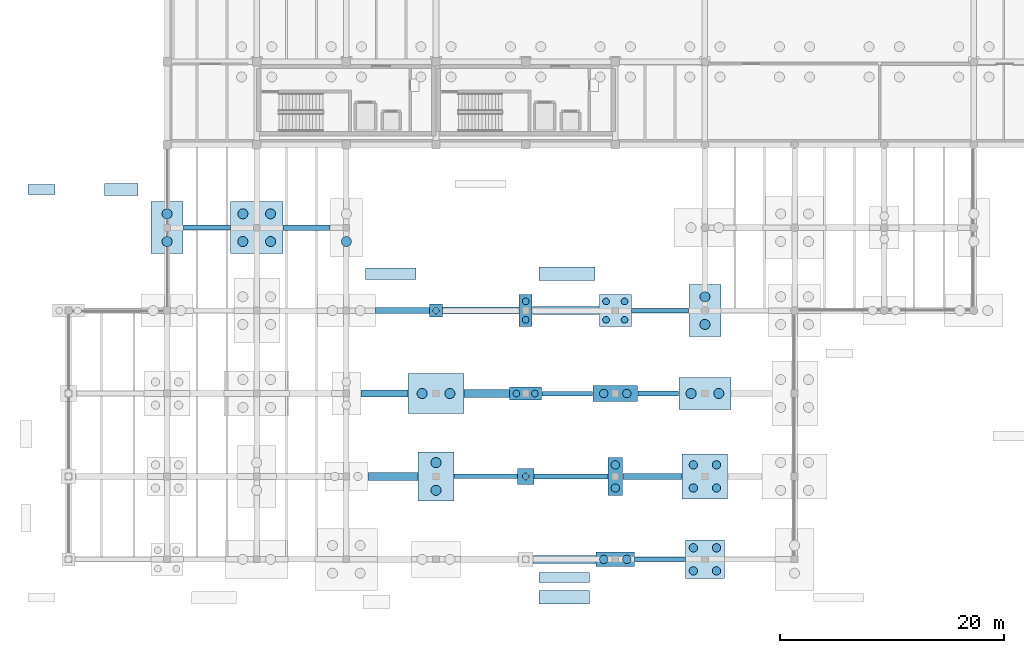
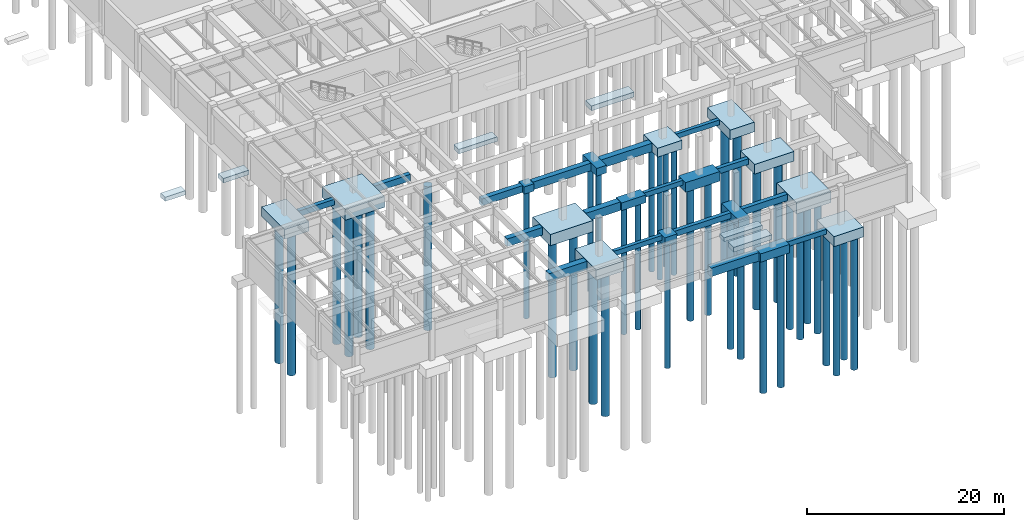
# One storey, part 2 of 40: 39 piles, 38 footings.
"""IFC4 building model written with IfcOpenShell, lengths in metres."""

from ifc_helpers import new_model, si_unit, direction, frame, origin, origin_2d, place, context, subcontext, project, spatial, polyline, rectangle, circle, outline, extrude, material, material_profile, profile_set, type_object, element, save


model = new_model("IFC4")

# Units and contexts
model_context = context("Model", 3, precision=1e-05, world=origin(), true_north=direction((0.0, 1.0)))
body_context = subcontext(model_context, "Body", "Model", "MODEL_VIEW")
ifc_project = project(units=[si_unit("LENGTHUNIT", "METRE"), si_unit("AREAUNIT", "SQUARE_METRE"), si_unit("VOLUMEUNIT", "CUBIC_METRE"), si_unit("PLANEANGLEUNIT", "RADIAN"), si_unit("MASSUNIT", "GRAM", prefix="KILO")], contexts=[model_context])

# Site, building, storey
site_placement = place(None, origin())
site = spatial("IfcSite", under=ifc_project, at=site_placement, CompositionType="ELEMENT")
building_placement = place(site_placement, origin())
building = spatial("IfcBuilding", under=site, at=building_placement, Name="Valkorina Park Police Headquarters", CompositionType="ELEMENT")
storey_placement = place(building_placement, frame((0.0, 0.0, -4.800048828125)))
storey = spatial("IfcBuildingStorey", under=building, at=storey_placement, Name="B01", CompositionType="ELEMENT", Elevation=-4.800048828125)

# Footings
ifc_material_1 = material(Name="Concrete C30/37", Category="concrete")
ifc_material_profile_1 = material_profile(ifc_material_1, rectangle(XDim=0.39990234375, YDim=0.60009765625, at=origin_2d()), Name="GB 400x600")
ifc_profile_set_1 = profile_set([ifc_material_profile_1], Name="Concrete C30/37")
footing_type_1 = type_object("IfcFootingType", Name="FT-GB-01", PredefinedType="FOOTING_BEAM", material=ifc_profile_set_1)
footing_1_placement = place(storey_placement, frame((0.0, 0.0, -0.599853515625)))
element("IfcFooting", 1, at=footing_1_placement, inside=storey, type_object=footing_type_1, Name="Pile Cap Tie Beam GB-01 #7", PredefinedType="FOOTING_BEAM", context=body_context, shape_type="SweptSolid", body=[
    extrude(outline(polyline([(55.054931640625, -0.199951171875), (55.054931640625, 0.199951171875), (50.52001953125, 0.199951171875), (50.52001953125, -0.199951171875), (55.054931640625, -0.199951171875)])), origin(), (0.0, 0.0, 1.0), 0.599853515625),
])
footing_2_placement = place(storey_placement, frame((0.0, 0.0, -0.599853515625)))
element("IfcFooting", 2, at=footing_2_placement, inside=storey, type_object=footing_type_1, Name="Pile Cap Tie Beam GB-01 #13", PredefinedType="FOOTING_BEAM", context=body_context, shape_type="SweptSolid", body=[
    extrude(outline(polyline([(40.054931640625, 7.199951171875), (40.054931640625, 7.60009765625), (34.419921875, 7.60009765625), (34.419921875, 7.199951171875), (40.054931640625, 7.199951171875)])), origin(), (0.0, 0.0, 1.0), 0.599853515625),
])
footing_3_placement = place(storey_placement, frame((0.0, 0.0, -0.599853515625)))
element("IfcFooting", 3, at=footing_3_placement, inside=storey, type_object=footing_type_1, Name="Pile Cap Tie Beam GB-01 #25", PredefinedType="FOOTING_BEAM", context=body_context, shape_type="SweptSolid", body=[
    extrude(outline(polyline([(46.780029296875, 14.60009765625), (46.780029296875, 15.0), (42.2451171875, 15.0), (42.2451171875, 14.60009765625), (46.780029296875, 14.60009765625)])), origin(), (0.0, 0.0, 1.0), 0.599853515625),
])
footing_4_placement = place(storey_placement, frame((0.0, 0.0, -0.599853515625)))
element("IfcFooting", 4, at=footing_4_placement, inside=storey, type_object=footing_type_1, Name="Pile Cap Tie Beam GB-01 #37", PredefinedType="FOOTING_BEAM", context=body_context, shape_type="SweptSolid", body=[
    extrude(outline(polyline([(55.35498046875, 22.0), (55.35498046875, 22.39990234375), (50.2451171875, 22.39990234375), (50.2451171875, 22.0), (55.35498046875, 22.0)])), origin(), (0.0, 0.0, 1.0), 0.599853515625),
])
ifc_material_profile_2 = material_profile(ifc_material_1, rectangle(XDim=0.449951171875, YDim=0.699951171875, at=origin_2d()), Name="GB 450x700")
ifc_profile_set_2 = profile_set([ifc_material_profile_2], Name="Concrete C30/37")
footing_type_2 = type_object("IfcFootingType", Name="FT-GB-02", PredefinedType="FOOTING_BEAM", material=ifc_profile_set_2)
footing_5_placement = place(storey_placement, frame((0.0, 0.0, -0.699951171875)))
element("IfcFooting", 5, at=footing_5_placement, inside=storey, type_object=footing_type_2, Name="Pile Cap Tie Beam GB-02 #14", PredefinedType="FOOTING_BEAM", context=body_context, shape_type="SweptSolid", body=[
    extrude(outline(polyline([(48.1298828125, 7.175048828125), (48.1298828125, 7.625), (41.544921875, 7.625), (41.544921875, 7.175048828125), (48.1298828125, 7.175048828125)])), origin(), (0.0, 0.0, 1.0), 0.699951171875),
])
footing_6_placement = place(storey_placement, frame((0.0, 0.0, -0.699951171875)))
element("IfcFooting", 6, at=footing_6_placement, inside=storey, type_object=footing_type_2, Name="Pile Cap Tie Beam GB-02 #26", PredefinedType="FOOTING_BEAM", context=body_context, shape_type="SweptSolid", body=[
    extrude(outline(polyline([(54.455078125, 14.574951171875), (54.455078125, 15.02490234375), (50.820068359375, 15.02490234375), (50.820068359375, 14.574951171875), (54.455078125, 14.574951171875)])), origin(), (0.0, 0.0, 1.0), 0.699951171875),
])
footing_7_placement = place(storey_placement, frame((0.0, 0.0, -0.699951171875)))
element("IfcFooting", 7, at=footing_7_placement, inside=storey, type_object=footing_type_2, Name="Pile Cap Tie Beam GB-02 #44", PredefinedType="FOOTING_BEAM", context=body_context, shape_type="SweptSolid", body=[
    extrude(outline(polyline([(14.455078125, 29.375), (14.455078125, 29.824951171875), (10.2451171875, 29.824951171875), (10.2451171875, 29.375), (14.455078125, 29.375)])), origin(), (0.0, 0.0, 1.0), 0.699951171875),
])
ifc_material_profile_3 = material_profile(ifc_material_1, rectangle(XDim=0.5, YDim=0.800048828125, at=origin_2d()), Name="GB 500x800")
ifc_profile_set_3 = profile_set([ifc_material_profile_3], Name="Concrete C30/37")
footing_type_3 = type_object("IfcFootingType", Name="FT-GB-03", PredefinedType="FOOTING_BEAM", material=ifc_profile_set_3)
footing_8_placement = place(storey_placement, frame((0.0, 0.0, -0.800048828125)))
element("IfcFooting", 8, at=footing_8_placement, inside=storey, type_object=footing_type_3, Name="Pile Cap Tie Beam GB-03 #15", PredefinedType="FOOTING_BEAM", context=body_context, shape_type="SweptSolid", body=[
    extrude(outline(polyline([(54.7548828125, 7.14990234375), (54.7548828125, 7.64990234375), (49.469970703125, 7.64990234375), (49.469970703125, 7.14990234375), (54.7548828125, 7.14990234375)])), origin(), (0.0, 0.0, 1.0), 0.800048828125),
])
footing_9_placement = place(storey_placement, frame((0.0, 0.0, -0.800048828125)))
element("IfcFooting", 9, at=footing_9_placement, inside=storey, type_object=footing_type_3, Name="Pile Cap Tie Beam GB-03 #45", PredefinedType="FOOTING_BEAM", context=body_context, shape_type="SweptSolid", body=[
    extrude(outline(polyline([(23.35498046875, 29.35009765625), (23.35498046875, 29.85009765625), (19.14501953125, 29.85009765625), (19.14501953125, 29.35009765625), (23.35498046875, 29.35009765625)])), origin(), (0.0, 0.0, 1.0), 0.800048828125),
])
ifc_material_2 = material(Name="Concrete C35/45", Category="concrete")
ifc_material_profile_4 = material_profile(ifc_material_2, rectangle(XDim=0.550048828125, YDim=0.85009765625, at=origin_2d()), Name="GB 550x850")
ifc_profile_set_4 = profile_set([ifc_material_profile_4], Name="Concrete C35/45")
footing_type_4 = type_object("IfcFootingType", Name="FT-GB-04", PredefinedType="FOOTING_BEAM", material=ifc_profile_set_4)
footing_10_placement = place(storey_placement, frame((0.0, 0.0, -0.849853515625)))
element("IfcFooting", 10, at=footing_10_placement, inside=storey, type_object=footing_type_4, Name="Pile Cap Tie Beam GB-04 #34", PredefinedType="FOOTING_BEAM", context=body_context, shape_type="SweptSolid", body=[
    extrude(outline(polyline([(32.205078125, 21.925048828125), (32.205078125, 22.47509765625), (27.419921875, 22.47509765625), (27.419921875, 21.925048828125), (32.205078125, 21.925048828125)])), origin(), (0.0, 0.0, 1.0), 0.849853515625),
])
ifc_material_profile_5 = material_profile(ifc_material_2, rectangle(XDim=0.60009765625, YDim=0.949951171875, at=origin_2d()), Name="GB 600x950")
ifc_profile_set_5 = profile_set([ifc_material_profile_5], Name="Concrete C35/45")
footing_type_5 = type_object("IfcFootingType", Name="FT-GB-05", PredefinedType="FOOTING_BEAM", material=ifc_profile_set_5)
footing_11_placement = place(storey_placement, frame((0.0, 0.0, -0.949951171875)))
element("IfcFooting", 11, at=footing_11_placement, inside=storey, type_object=footing_type_5, Name="Pile Cap Tie Beam GB-05 #23", PredefinedType="FOOTING_BEAM", context=body_context, shape_type="SweptSolid", body=[
    extrude(outline(polyline([(30.280029296875, 14.5), (30.280029296875, 15.10009765625), (26.1201171875, 15.10009765625), (26.1201171875, 14.5), (30.280029296875, 14.5)])), origin(), (0.0, 0.0, 1.0), 0.949951171875),
])
footing_12_placement = place(storey_placement, frame((0.0, 0.0, -0.949951171875)))
element("IfcFooting", 12, at=footing_12_placement, inside=storey, type_object=footing_type_5, Name="Pile Cap Tie Beam GB-05 #35", PredefinedType="FOOTING_BEAM", context=body_context, shape_type="SweptSolid", body=[
    extrude(outline(polyline([(40.205078125, 21.89990234375), (40.205078125, 22.5), (33.39501953125, 22.5), (33.39501953125, 21.89990234375), (40.205078125, 21.89990234375)])), origin(), (0.0, 0.0, 1.0), 0.949951171875),
])
ifc_material_profile_6 = material_profile(ifc_material_2, rectangle(XDim=0.699951171875, YDim=1.050048828125, at=origin_2d()), Name="GB 700x1050")
ifc_profile_set_6 = profile_set([ifc_material_profile_6], Name="Concrete C35/45")
footing_type_6 = type_object("IfcFootingType", Name="FT-GB-06", PredefinedType="FOOTING_BEAM", material=ifc_profile_set_6)
footing_13_placement = place(storey_placement, frame((0.0, 0.0, -1.050048828125)))
element("IfcFooting", 13, at=footing_13_placement, inside=storey, type_object=footing_type_6, Name="Pile Cap Tie Beam GB-06 #6", PredefinedType="FOOTING_BEAM", context=body_context, shape_type="SweptSolid", body=[
    extrude(outline(polyline([(47.080078125, -0.35009765625), (47.080078125, 0.35009765625), (41.469970703125, 0.35009765625), (41.469970703125, -0.35009765625), (47.080078125, -0.35009765625)])), origin(), (0.0, 0.0, 1.0), 1.050048828125),
])
footing_14_placement = place(storey_placement, frame((0.0, 0.0, -1.050048828125)))
element("IfcFooting", 14, at=footing_14_placement, inside=storey, type_object=footing_type_6, Name="Pile Cap Tie Beam GB-06 #12", PredefinedType="FOOTING_BEAM", context=body_context, shape_type="SweptSolid", body=[
    extrude(outline(polyline([(31.179931640625, 7.050048828125), (31.179931640625, 7.75), (26.719970703125, 7.75), (26.719970703125, 7.050048828125), (31.179931640625, 7.050048828125)])), origin(), (0.0, 0.0, 1.0), 1.050048828125),
])
footing_15_placement = place(storey_placement, frame((0.0, 0.0, -1.050048828125)))
element("IfcFooting", 15, at=footing_15_placement, inside=storey, type_object=footing_type_6, Name="Pile Cap Tie Beam GB-06 #24", PredefinedType="FOOTING_BEAM", context=body_context, shape_type="SweptSolid", body=[
    extrude(outline(polyline([(39.35498046875, 14.449951171875), (39.35498046875, 15.14990234375), (35.320068359375, 15.14990234375), (35.320068359375, 14.449951171875), (39.35498046875, 14.449951171875)])), origin(), (0.0, 0.0, 1.0), 1.050048828125),
])
footing_16_placement = place(storey_placement, frame((0.0, 0.0, -1.050048828125)))
element("IfcFooting", 16, at=footing_16_placement, inside=storey, type_object=footing_type_6, Name="Pile Cap Tie Beam GB-06 #36", PredefinedType="FOOTING_BEAM", context=body_context, shape_type="SweptSolid", body=[
    extrude(outline(polyline([(47.35498046875, 21.85009765625), (47.35498046875, 22.550048828125), (41.39501953125, 22.550048828125), (41.39501953125, 21.85009765625), (47.35498046875, 21.85009765625)])), origin(), (0.0, 0.0, 1.0), 1.050048828125),
])
ifc_material_3 = material(Name="Concrete C40/50", Category="concrete")
footing_type_7 = type_object("IfcFootingType", Name="FT-PC-01", PredefinedType="PILE_CAP", material=ifc_material_3)
footing_17_placement = place(storey_placement, frame((32.800048828125, 22.199951171875, -0.89990234375), z_axis=(0.0, 0.0, 1.0), x_axis=(1.0, 0.0, 0.0)))
element("IfcFooting", 17, at=footing_17_placement, inside=storey, type_object=footing_type_7, Name="Pile Cap PC-01 #27", PredefinedType="PILE_CAP", context=body_context, shape_type="SweptSolid", body=[
    extrude(rectangle(XDim=1.14990234375, YDim=1.14990234375, at=origin_2d()), origin(), (0.0, 0.0, 1.0), 0.89990234375),
])
footing_type_8 = type_object("IfcFootingType", Name="FT-PC-03", PredefinedType="PILE_CAP", material=ifc_material_3)
footing_18_placement = place(storey_placement, frame((40.800048828125, 7.39990234375, -1.0498046875), z_axis=(0.0, 0.0, 1.0), x_axis=(1.0, 0.0, 0.0)))
element("IfcFooting", 18, at=footing_18_placement, inside=storey, type_object=footing_type_8, Name="Pile Cap PC-03 #29", PredefinedType="PILE_CAP", context=body_context, shape_type="SweptSolid", body=[
    extrude(rectangle(XDim=1.449951171875, YDim=1.449951171875, at=origin_2d()), origin(), (0.0, 0.0, 1.0), 1.050048828125),
])
footing_type_9 = type_object("IfcFootingType", Name="FT-PC-04", PredefinedType="PILE_CAP", material=ifc_material_3)
footing_19_placement = place(storey_placement, frame((40.800048828125, 14.800048828125, -0.94970703125), z_axis=(0.0, 0.0, 1.0), x_axis=(1.0, 0.0, 0.0)))
element("IfcFooting", 19, at=footing_19_placement, inside=storey, type_object=footing_type_9, Name="Pile Cap PC-04 #30", PredefinedType="PILE_CAP", context=body_context, shape_type="SweptSolid", body=[
    extrude(rectangle(XDim=2.85009765625, YDim=1.14990234375, at=origin_2d()), origin(), (0.0, 0.0, 1.0), 0.949951171875),
])
footing_type_10 = type_object("IfcFootingType", Name="FT-PC-05", PredefinedType="PILE_CAP", material=ifc_material_3)
footing_20_placement = place(storey_placement, frame((40.800048828125, 22.199951171875, -0.94970703125), z_axis=(0.0, 0.0, 1.0), x_axis=(1.0, 0.0, 0.0)))
element("IfcFooting", 20, at=footing_20_placement, inside=storey, type_object=footing_type_10, Name="Pile Cap PC-05 #31", PredefinedType="PILE_CAP", context=body_context, shape_type="SweptSolid", body=[
    extrude(rectangle(XDim=1.14990234375, YDim=2.85009765625, at=origin_2d()), origin(), (0.0, 0.0, 1.0), 0.949951171875),
])
footing_type_11 = type_object("IfcFootingType", Name="FT-PC-06", PredefinedType="PILE_CAP", material=ifc_material_3)
footing_21_placement = place(storey_placement, frame((48.800048828125, 0.0, -1.0498046875), z_axis=(0.0, 0.0, 1.0), x_axis=(1.0, 0.0, 0.0)))
element("IfcFooting", 21, at=footing_21_placement, inside=storey, type_object=footing_type_11, Name="Pile Cap PC-06 #32", PredefinedType="PILE_CAP", context=body_context, shape_type="SweptSolid", body=[
    extrude(rectangle(XDim=3.39990234375, YDim=1.300048828125, at=origin_2d()), origin(), (0.0, 0.0, 1.0), 1.050048828125),
])
footing_type_12 = type_object("IfcFootingType", Name="FT-PC-07", PredefinedType="PILE_CAP", material=ifc_material_3)
footing_22_placement = place(storey_placement, frame((48.800048828125, 7.39990234375, -1.0498046875), z_axis=(0.0, 0.0, 1.0), x_axis=(1.0, 0.0, 0.0)))
element("IfcFooting", 22, at=footing_22_placement, inside=storey, type_object=footing_type_12, Name="Pile Cap PC-07 #33", PredefinedType="PILE_CAP", context=body_context, shape_type="SweptSolid", body=[
    extrude(rectangle(XDim=1.300048828125, YDim=3.39990234375, at=origin_2d()), origin(), (0.0, 0.0, 1.0), 1.050048828125),
])
footing_type_13 = type_object("IfcFootingType", Name="FT-PC-08", PredefinedType="PILE_CAP", material=ifc_material_3)
footing_23_placement = place(storey_placement, frame((48.800048828125, 14.800048828125, -1.19970703125), z_axis=(0.0, 0.0, 1.0), x_axis=(1.0, 0.0, 0.0)))
element("IfcFooting", 23, at=footing_23_placement, inside=storey, type_object=footing_type_13, Name="Pile Cap PC-08 #34", PredefinedType="PILE_CAP", context=body_context, shape_type="SweptSolid", body=[
    extrude(rectangle(XDim=4.0, YDim=1.449951171875, at=origin_2d()), origin(), (0.0, 0.0, 1.0), 1.199951171875),
])
footing_type_14 = type_object("IfcFootingType", Name="FT-PC-09", PredefinedType="PILE_CAP", material=ifc_material_3)
footing_24_placement = place(storey_placement, frame((48.800048828125, 22.199951171875, -1.10009765625), z_axis=(0.0, 0.0, 1.0), x_axis=(1.0, 0.0, 0.0)))
element("IfcFooting", 24, at=footing_24_placement, inside=storey, type_object=footing_type_14, Name="Pile Cap PC-09 #35", PredefinedType="PILE_CAP", context=body_context, shape_type="SweptSolid", body=[
    extrude(rectangle(XDim=2.85009765625, YDim=2.85009765625, at=origin_2d()), origin(), (0.0, 0.0, 1.0), 1.10009765625),
])
footing_type_15 = type_object("IfcFootingType", Name="FT-PC-10", PredefinedType="PILE_CAP", material=ifc_material_3)
footing_25_placement = place(storey_placement, frame((56.800048828125, 0.0, -1.25), z_axis=(0.0, 0.0, 1.0), x_axis=(1.0, 0.0, 0.0)))
element("IfcFooting", 25, at=footing_25_placement, inside=storey, type_object=footing_type_15, Name="Pile Cap PC-10 #36", PredefinedType="PILE_CAP", context=body_context, shape_type="SweptSolid", body=[
    extrude(rectangle(XDim=3.449951171875, YDim=3.449951171875, at=origin_2d()), origin(), (0.0, 0.0, 1.0), 1.25),
])
footing_type_16 = type_object("IfcFootingType", Name="FT-PC-11", PredefinedType="PILE_CAP", material=ifc_material_3)
footing_26_placement = place(storey_placement, frame((56.800048828125, 7.39990234375, -1.39990234375), z_axis=(0.0, 0.0, 1.0), x_axis=(1.0, 0.0, 0.0)))
element("IfcFooting", 26, at=footing_26_placement, inside=storey, type_object=footing_type_16, Name="Pile Cap PC-11 #37", PredefinedType="PILE_CAP", context=body_context, shape_type="SweptSolid", body=[
    extrude(rectangle(XDim=4.050048828125, YDim=4.050048828125, at=origin_2d()), origin(), (0.0, 0.0, 1.0), 1.39990234375),
])
footing_type_17 = type_object("IfcFootingType", Name="FT-PC-12", PredefinedType="PILE_CAP", material=ifc_material_3)
footing_27_placement = place(storey_placement, frame((56.800048828125, 14.800048828125, -1.19970703125), z_axis=(0.0, 0.0, 1.0), x_axis=(1.0, 0.0, 0.0)))
element("IfcFooting", 27, at=footing_27_placement, inside=storey, type_object=footing_type_17, Name="Pile Cap PC-12 #38", PredefinedType="PILE_CAP", context=body_context, shape_type="SweptSolid", body=[
    extrude(rectangle(XDim=4.64990234375, YDim=2.85009765625, at=origin_2d()), origin(), (0.0, 0.0, 1.0), 1.199951171875),
])
footing_type_18 = type_object("IfcFootingType", Name="FT-PC-13", PredefinedType="PILE_CAP", material=ifc_material_3)
for number, where, z_axis, x_axis, name in (
    (28, (8.800048828125, 29.60009765625, -1.19970703125), (0.0, 0.0, 1.0), (1.0, 0.0, 0.0), "Pile Cap PC-13 #13"),
    (29, (56.800048828125, 22.199951171875, -1.19970703125), (0.0, 0.0, 1.0), (1.0, 0.0, 0.0), "Pile Cap PC-13 #39"),
):
    element("IfcFooting", number, at=place(storey_placement, frame(where, z_axis=z_axis, x_axis=x_axis)), inside=storey, type_object=footing_type_18, Name=name, PredefinedType="PILE_CAP", context=body_context, shape_type="SweptSolid", body=[
        extrude(rectangle(XDim=2.85009765625, YDim=4.64990234375, at=origin_2d()), origin(), (0.0, 0.0, 1.0), 1.199951171875),
    ])
footing_type_19 = type_object("IfcFootingType", Name="FT-PC-18", PredefinedType="PILE_CAP", material=ifc_material_3)
footing_28_placement = place(storey_placement, frame((16.800048828125, 29.60009765625, -1.35009765625), z_axis=(0.0, 0.0, 1.0), x_axis=(1.0, 0.0, 0.0)))
element("IfcFooting", 30, at=footing_28_placement, inside=storey, type_object=footing_type_19, Name="Pile Cap PC-18 #18", PredefinedType="PILE_CAP", context=body_context, shape_type="SweptSolid", body=[
    extrude(rectangle(XDim=4.64990234375, YDim=4.64990234375, at=origin_2d()), origin(), (0.0, 0.0, 1.0), 1.35009765625),
])
footing_type_20 = type_object("IfcFootingType", Name="FT-PC-25", PredefinedType="PILE_CAP", material=ifc_material_3)
footing_29_placement = place(storey_placement, frame((32.800048828125, 7.39990234375, -1.25), z_axis=(0.0, 0.0, 1.0), x_axis=(1.0, 0.0, 0.0)))
element("IfcFooting", 31, at=footing_29_placement, inside=storey, type_object=footing_type_20, Name="Pile Cap PC-25 #25", PredefinedType="PILE_CAP", context=body_context, shape_type="SweptSolid", body=[
    extrude(rectangle(XDim=3.199951171875, YDim=4.35009765625, at=origin_2d()), origin(), (0.0, 0.0, 1.0), 1.25),
])
footing_type_21 = type_object("IfcFootingType", Name="FT-PC-26", PredefinedType="PILE_CAP", material=ifc_material_3)
footing_30_placement = place(storey_placement, frame((32.800048828125, 14.800048828125, -1.39990234375), z_axis=(0.0, 0.0, 1.0), x_axis=(1.0, 0.0, 0.0)))
element("IfcFooting", 32, at=footing_30_placement, inside=storey, type_object=footing_type_21, Name="Pile Cap PC-26 #26", PredefinedType="PILE_CAP", context=body_context, shape_type="SweptSolid", body=[
    extrude(rectangle(XDim=5.0, YDim=3.60009765625, at=origin_2d()), origin(), (0.0, 0.0, 1.0), 1.39990234375),
])
ifc_material_profile_7 = material_profile(ifc_material_2, rectangle(XDim=0.89990234375, YDim=0.5, at=origin_2d()), Name="SF 900x500")
ifc_profile_set_7 = profile_set([ifc_material_profile_7], Name="Concrete C35/45")
footing_type_22 = type_object("IfcFootingType", Name="FT-SF-02", PredefinedType="STRIP_FOOTING", material=ifc_profile_set_7)
footing_31_placement = place(storey_placement, frame((0.0, 0.0, 4.1201171875)))
element("IfcFooting", 33, at=footing_31_placement, inside=storey, type_object=footing_type_22, Name="Grade Apron Strip Footing SF-02 #2", PredefinedType="STRIP_FOOTING", context=body_context, shape_type="SweptSolid", body=[
    extrude(outline(polyline([(-1.199951171875, 32.550048828125), (-1.199951171875, 33.449951171875), (-3.60009765625, 33.449951171875), (-3.60009765625, 32.550048828125), (-1.199951171875, 32.550048828125)])), origin(), (0.0, 0.0, 1.0), 0.5),
])
footing_32_placement = place(storey_placement, frame((0.0, 0.0, 4.1201171875)))
element("IfcFooting", 34, at=footing_32_placement, inside=storey, type_object=footing_type_22, Name="Grade Apron Strip Footing SF-02 #10", PredefinedType="STRIP_FOOTING", context=body_context, shape_type="SweptSolid", body=[
    extrude(outline(polyline([(46.5, -2.050048828125), (46.5, -1.14990234375), (42.0, -1.14990234375), (42.0, -2.050048828125), (46.5, -2.050048828125)])), origin(), (0.0, 0.0, 1.0), 0.5),
])
ifc_material_profile_8 = material_profile(ifc_material_2, rectangle(XDim=1.050048828125, YDim=0.550048828125, at=origin_2d()), Name="SF 1050x550")
ifc_profile_set_8 = profile_set([ifc_material_profile_8], Name="Concrete C35/45")
footing_type_23 = type_object("IfcFootingType", Name="FT-SF-03", PredefinedType="STRIP_FOOTING", material=ifc_profile_set_8)
footing_33_placement = place(storey_placement, frame((0.0, 0.0, 4.070068359375)))
element("IfcFooting", 35, at=footing_33_placement, inside=storey, type_object=footing_type_23, Name="Grade Apron Strip Footing SF-03 #3", PredefinedType="STRIP_FOOTING", context=body_context, shape_type="SweptSolid", body=[
    extrude(outline(polyline([(6.199951171875, 32.47509765625), (6.199951171875, 33.52490234375), (3.199951171875, 33.52490234375), (3.199951171875, 32.47509765625), (6.199951171875, 32.47509765625)])), origin(), (0.0, 0.0, 1.0), 0.550048828125),
])
footing_34_placement = place(storey_placement, frame((0.0, 0.0, 4.070068359375)))
element("IfcFooting", 36, at=footing_34_placement, inside=storey, type_object=footing_type_23, Name="Grade Apron Strip Footing SF-03 #11", PredefinedType="STRIP_FOOTING", context=body_context, shape_type="SweptSolid", body=[
    extrude(outline(polyline([(31.0, 24.97509765625), (31.0, 26.02490234375), (26.5, 26.02490234375), (26.5, 24.97509765625), (31.0, 24.97509765625)])), origin(), (0.0, 0.0, 1.0), 0.550048828125),
])
ifc_material_profile_9 = material_profile(ifc_material_2, rectangle(XDim=1.199951171875, YDim=0.60009765625, at=origin_2d()), Name="SF 1200x600")
ifc_profile_set_9 = profile_set([ifc_material_profile_9], Name="Concrete C35/45")
footing_type_24 = type_object("IfcFootingType", Name="FT-SF-04", PredefinedType="STRIP_FOOTING", material=ifc_profile_set_9)
footing_35_placement = place(storey_placement, frame((0.0, 0.0, 4.02001953125)))
element("IfcFooting", 37, at=footing_35_placement, inside=storey, type_object=footing_type_24, Name="Grade Apron Strip Footing SF-04 #8", PredefinedType="STRIP_FOOTING", context=body_context, shape_type="SweptSolid", body=[
    extrude(outline(polyline([(46.5, -4.0), (46.5, -2.800048828125), (42.0, -2.800048828125), (42.0, -4.0), (46.5, -4.0)])), origin(), (0.0, 0.0, 1.0), 0.60009765625),
])
footing_36_placement = place(storey_placement, frame((0.0, 0.0, 4.02001953125)))
element("IfcFooting", 38, at=footing_36_placement, inside=storey, type_object=footing_type_24, Name="Grade Apron Strip Footing SF-04 #12", PredefinedType="STRIP_FOOTING", context=body_context, shape_type="SweptSolid", body=[
    extrude(outline(polyline([(47.0, 24.89990234375), (47.0, 26.10009765625), (42.0, 26.10009765625), (42.0, 24.89990234375), (47.0, 24.89990234375)])), origin(), (0.0, 0.0, 1.0), 0.60009765625),
])

# Piles
ifc_material_profile_10 = material_profile(ifc_material_1, circle(Radius=0.300048828125, at=origin_2d()), Name="BORED PILE D600")
ifc_profile_set_10 = profile_set([ifc_material_profile_10], Name="Concrete C30/37")
pile_type_1 = type_object("IfcPileType", Name="PL-BORED-D600", PredefinedType="BORED", material=ifc_profile_set_10)
pile_1_placement = place(storey_placement, frame((32.800048828125, 22.199951171875, -0.75), z_axis=(0.0, 0.0, -1.0), x_axis=(1.0, 0.0, 0.0)))
element("IfcPile", 39, at=pile_1_placement, inside=storey, type_object=pile_type_1, Name="Bored Pile 0418 (Cap PC-01)", PredefinedType="BORED", context=body_context, shape_type="SweptSolid", body=[
    extrude(circle(Radius=0.300048828125, at=origin_2d()), origin(), (0.0, 0.0, 1.0), 15.949951171875),
])
pile_2_placement = place(storey_placement, frame((40.800048828125, 7.39990234375, -0.89990234375), z_axis=(0.0, 0.0, -1.0), x_axis=(1.0, 0.0, 0.0)))
element("IfcPile", 40, at=pile_2_placement, inside=storey, type_object=pile_type_1, Name="Bored Pile 0420 (Cap PC-03)", PredefinedType="BORED", context=body_context, shape_type="SweptSolid", body=[
    extrude(circle(Radius=0.300048828125, at=origin_2d()), origin(), (0.0, 0.0, 1.0), 15.800048828125),
])
for number, where, z_axis, x_axis, name in (
    (41, (39.97509765625, 14.800048828125, -0.800048828125), (0.0, 0.0, -1.0), (1.0, 0.0, 0.0), "Bored Pile 0421 (Cap PC-04)"),
    (42, (41.625, 14.800048828125, -0.800048828125), (0.0, 0.0, -1.0), (1.0, 0.0, 0.0), "Bored Pile 0422 (Cap PC-04)"),
    (43, (40.800048828125, 21.375, -0.800048828125), (0.0, 0.0, -1.0), (1.0, 0.0, 0.0), "Bored Pile 0423 (Cap PC-05)"),
    (44, (40.800048828125, 23.02490234375, -0.800048828125), (0.0, 0.0, -1.0), (1.0, 0.0, 0.0), "Bored Pile 0424 (Cap PC-05)"),
):
    element("IfcPile", number, at=place(storey_placement, frame(where, z_axis=z_axis, x_axis=x_axis)), inside=storey, type_object=pile_type_1, Name=name, PredefinedType="BORED", context=body_context, shape_type="SweptSolid", body=[
        extrude(circle(Radius=0.300048828125, at=origin_2d()), origin(), (0.0, 0.0, 1.0), 15.89990234375),
    ])
for number, where, z_axis, x_axis, name in (
    (45, (47.97509765625, 21.375, -0.949951171875), (0.0, 0.0, -1.0), (1.0, 0.0, 0.0), "Bored Pile 0431 (Cap PC-09)"),
    (46, (47.97509765625, 23.02490234375, -0.949951171875), (0.0, 0.0, -1.0), (1.0, 0.0, 0.0), "Bored Pile 0432 (Cap PC-09)"),
    (47, (49.625, 21.375, -0.949951171875), (0.0, 0.0, -1.0), (1.0, 0.0, 0.0), "Bored Pile 0433 (Cap PC-09)"),
    (48, (49.625, 23.02490234375, -0.949951171875), (0.0, 0.0, -1.0), (1.0, 0.0, 0.0), "Bored Pile 0434 (Cap PC-09)"),
):
    element("IfcPile", number, at=place(storey_placement, frame(where, z_axis=z_axis, x_axis=x_axis)), inside=storey, type_object=pile_type_1, Name=name, PredefinedType="BORED", context=body_context, shape_type="SweptSolid", body=[
        extrude(circle(Radius=0.300048828125, at=origin_2d()), origin(), (0.0, 0.0, 1.0), 15.75),
    ])
ifc_material_profile_11 = material_profile(ifc_material_1, circle(Radius=0.375, at=origin_2d()), Name="BORED PILE D750")
ifc_profile_set_11 = profile_set([ifc_material_profile_11], Name="Concrete C30/37")
pile_type_2 = type_object("IfcPileType", Name="PL-BORED-D750", PredefinedType="BORED", material=ifc_profile_set_11)
for number, where, z_axis, x_axis, name in (
    (49, (47.768798828125, 0.0, -0.89990234375), (0.0, 0.0, -1.0), (1.0, 0.0, 0.0), "Bored Pile 0425 (Cap PC-06)"),
    (50, (49.831298828125, 0.0, -0.89990234375), (0.0, 0.0, -1.0), (1.0, 0.0, 0.0), "Bored Pile 0426 (Cap PC-06)"),
    (51, (48.800048828125, 6.368896484375, -0.89990234375), (0.0, 0.0, -1.0), (1.0, 0.0, 0.0), "Bored Pile 0427 (Cap PC-07)"),
    (52, (48.800048828125, 8.431396484375, -0.89990234375), (0.0, 0.0, -1.0), (1.0, 0.0, 0.0), "Bored Pile 0428 (Cap PC-07)"),
):
    element("IfcPile", number, at=place(storey_placement, frame(where, z_axis=z_axis, x_axis=x_axis)), inside=storey, type_object=pile_type_2, Name=name, PredefinedType="BORED", context=body_context, shape_type="SweptSolid", body=[
        extrude(circle(Radius=0.375, at=origin_2d()), origin(), (0.0, 0.0, 1.0), 16.800048828125),
    ])
for number, where, z_axis, x_axis, name in (
    (53, (47.768798828125, 14.800048828125, -1.050048828125), (0.0, 0.0, -1.0), (1.0, 0.0, 0.0), "Bored Pile 0429 (Cap PC-08)"),
    (54, (49.831298828125, 14.800048828125, -1.050048828125), (0.0, 0.0, -1.0), (1.0, 0.0, 0.0), "Bored Pile 0430 (Cap PC-08)"),
):
    element("IfcPile", number, at=place(storey_placement, frame(where, z_axis=z_axis, x_axis=x_axis)), inside=storey, type_object=pile_type_2, Name=name, PredefinedType="BORED", context=body_context, shape_type="SweptSolid", body=[
        extrude(circle(Radius=0.375, at=origin_2d()), origin(), (0.0, 0.0, 1.0), 16.64990234375),
    ])
for number, where, z_axis, x_axis, name in (
    (55, (55.768798828125, -1.03125, -1.099853515625), (0.0, 0.0, -1.0), (1.0, 0.0, 0.0), "Bored Pile 0435 (Cap PC-10)"),
    (56, (55.768798828125, 1.03125, -1.099853515625), (0.0, 0.0, -1.0), (1.0, 0.0, 0.0), "Bored Pile 0436 (Cap PC-10)"),
    (57, (57.831298828125, -1.03125, -1.099853515625), (0.0, 0.0, -1.0), (1.0, 0.0, 0.0), "Bored Pile 0437 (Cap PC-10)"),
    (58, (57.831298828125, 1.03125, -1.099853515625), (0.0, 0.0, -1.0), (1.0, 0.0, 0.0), "Bored Pile 0438 (Cap PC-10)"),
):
    element("IfcPile", number, at=place(storey_placement, frame(where, z_axis=z_axis, x_axis=x_axis)), inside=storey, type_object=pile_type_2, Name=name, PredefinedType="BORED", context=body_context, shape_type="SweptSolid", body=[
        extrude(circle(Radius=0.375, at=origin_2d()), origin(), (0.0, 0.0, 1.0), 16.60009765625),
    ])
for number, where, z_axis, x_axis, name in (
    (59, (55.768798828125, 6.368896484375, -1.25), (0.0, 0.0, -1.0), (1.0, 0.0, 0.0), "Bored Pile 0439 (Cap PC-11)"),
    (60, (55.768798828125, 8.431396484375, -1.25), (0.0, 0.0, -1.0), (1.0, 0.0, 0.0), "Bored Pile 0440 (Cap PC-11)"),
    (61, (57.831298828125, 6.368896484375, -1.25), (0.0, 0.0, -1.0), (1.0, 0.0, 0.0), "Bored Pile 0441 (Cap PC-11)"),
    (62, (57.831298828125, 8.431396484375, -1.25), (0.0, 0.0, -1.0), (1.0, 0.0, 0.0), "Bored Pile 0442 (Cap PC-11)"),
):
    element("IfcPile", number, at=place(storey_placement, frame(where, z_axis=z_axis, x_axis=x_axis)), inside=storey, type_object=pile_type_2, Name=name, PredefinedType="BORED", context=body_context, shape_type="SweptSolid", body=[
        extrude(circle(Radius=0.375, at=origin_2d()), origin(), (0.0, 0.0, 1.0), 16.449951171875),
    ])
ifc_material_profile_12 = material_profile(ifc_material_2, circle(Radius=0.449951171875, at=origin_2d()), Name="BORED PILE D900")
ifc_profile_set_12 = profile_set([ifc_material_profile_12], Name="Concrete C35/45")
pile_type_3 = type_object("IfcPileType", Name="PL-BORED-D900", PredefinedType="BORED", material=ifc_profile_set_12)
for number, where, z_axis, x_axis, name in (
    (63, (8.800048828125, 28.362548828125, -1.050048828125), (0.0, 0.0, -1.0), (1.0, 0.0, 0.0), "Bored Pile 0382 (Cap PC-13)"),
    (64, (8.800048828125, 30.83740234375, -1.050048828125), (0.0, 0.0, -1.0), (1.0, 0.0, 0.0), "Bored Pile 0383 (Cap PC-13)"),
):
    element("IfcPile", number, at=place(storey_placement, frame(where, z_axis=z_axis, x_axis=x_axis)), inside=storey, type_object=pile_type_3, Name=name, PredefinedType="BORED", context=body_context, shape_type="SweptSolid", body=[
        extrude(circle(Radius=0.449951171875, at=origin_2d()), origin(), (0.0, 0.0, 1.0), 17.949951171875),
    ])
for number, where, z_axis, x_axis, name in (
    (65, (15.5625, 28.362548828125, -1.199951171875), (0.0, 0.0, -1.0), (1.0, 0.0, 0.0), "Bored Pile 0396 (Cap PC-18)"),
    (66, (15.5625, 30.83740234375, -1.199951171875), (0.0, 0.0, -1.0), (1.0, 0.0, 0.0), "Bored Pile 0397 (Cap PC-18)"),
    (67, (18.03759765625, 28.362548828125, -1.199951171875), (0.0, 0.0, -1.0), (1.0, 0.0, 0.0), "Bored Pile 0398 (Cap PC-18)"),
    (68, (18.03759765625, 30.83740234375, -1.199951171875), (0.0, 0.0, -1.0), (1.0, 0.0, 0.0), "Bored Pile 0399 (Cap PC-18)"),
):
    element("IfcPile", number, at=place(storey_placement, frame(where, z_axis=z_axis, x_axis=x_axis)), inside=storey, type_object=pile_type_3, Name=name, PredefinedType="BORED", context=body_context, shape_type="SweptSolid", body=[
        extrude(circle(Radius=0.449951171875, at=origin_2d()), origin(), (0.0, 0.0, 1.0), 17.800048828125),
    ])
pile_3_placement = place(storey_placement, frame((24.800048828125, 28.362548828125, -1.14990234375), z_axis=(0.0, 0.0, -1.0), x_axis=(1.0, 0.0, 0.0)))
element("IfcPile", 69, at=pile_3_placement, inside=storey, type_object=pile_type_3, Name="Bored Pile 0410 (Cap PC-23)", PredefinedType="BORED", context=body_context, shape_type="SweptSolid", body=[
    extrude(circle(Radius=0.449951171875, at=origin_2d()), origin(), (0.0, 0.0, 1.0), 17.85009765625),
])
for number, where, z_axis, x_axis, name in (
    (70, (32.800048828125, 6.16259765625, -1.099853515625), (0.0, 0.0, -1.0), (1.0, 0.0, 0.0), "Bored Pile 0414 (Cap PC-25)"),
    (71, (32.800048828125, 8.637451171875, -1.099853515625), (0.0, 0.0, -1.0), (1.0, 0.0, 0.0), "Bored Pile 0415 (Cap PC-25)"),
):
    element("IfcPile", number, at=place(storey_placement, frame(where, z_axis=z_axis, x_axis=x_axis)), inside=storey, type_object=pile_type_3, Name=name, PredefinedType="BORED", context=body_context, shape_type="SweptSolid", body=[
        extrude(circle(Radius=0.449951171875, at=origin_2d()), origin(), (0.0, 0.0, 1.0), 17.89990234375),
    ])
for number, where, z_axis, x_axis, name in (
    (72, (31.5625, 14.800048828125, -1.25), (0.0, 0.0, -1.0), (1.0, 0.0, 0.0), "Bored Pile 0416 (Cap PC-26)"),
    (73, (34.03759765625, 14.800048828125, -1.25), (0.0, 0.0, -1.0), (1.0, 0.0, 0.0), "Bored Pile 0417 (Cap PC-26)"),
):
    element("IfcPile", number, at=place(storey_placement, frame(where, z_axis=z_axis, x_axis=x_axis)), inside=storey, type_object=pile_type_3, Name=name, PredefinedType="BORED", context=body_context, shape_type="SweptSolid", body=[
        extrude(circle(Radius=0.449951171875, at=origin_2d()), origin(), (0.0, 0.0, 1.0), 17.75),
    ])
for number, where, z_axis, x_axis, name in (
    (74, (55.5625, 14.800048828125, -1.050048828125), (0.0, 0.0, -1.0), (1.0, 0.0, 0.0), "Bored Pile 0443 (Cap PC-12)"),
    (75, (58.03759765625, 14.800048828125, -1.050048828125), (0.0, 0.0, -1.0), (1.0, 0.0, 0.0), "Bored Pile 0444 (Cap PC-12)"),
    (76, (56.800048828125, 20.96240234375, -1.050048828125), (0.0, 0.0, -1.0), (1.0, 0.0, 0.0), "Bored Pile 0445 (Cap PC-13)"),
    (77, (56.800048828125, 23.4375, -1.050048828125), (0.0, 0.0, -1.0), (1.0, 0.0, 0.0), "Bored Pile 0446 (Cap PC-13)"),
):
    element("IfcPile", number, at=place(storey_placement, frame(where, z_axis=z_axis, x_axis=x_axis)), inside=storey, type_object=pile_type_3, Name=name, PredefinedType="BORED", context=body_context, shape_type="SweptSolid", body=[
        extrude(circle(Radius=0.449951171875, at=origin_2d()), origin(), (0.0, 0.0, 1.0), 17.949951171875),
    ])

save(model, "model.ifc")
